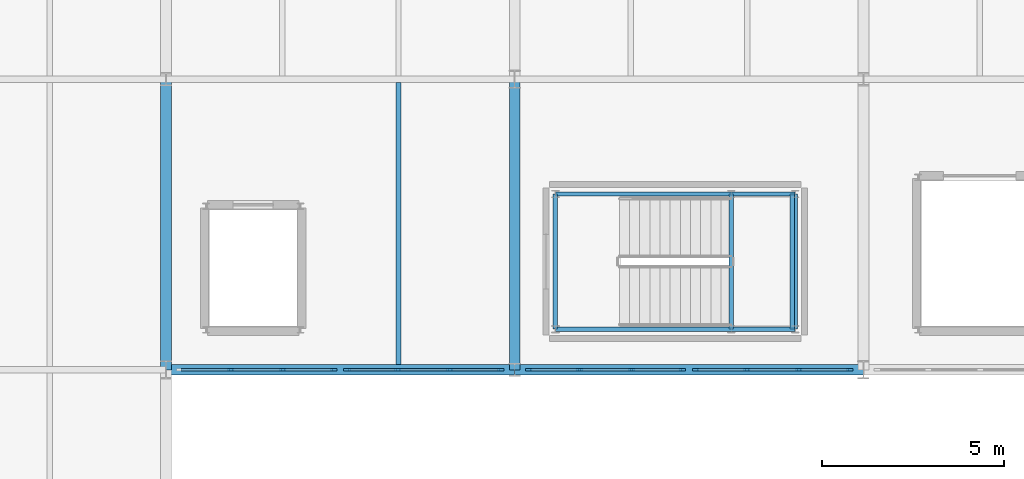
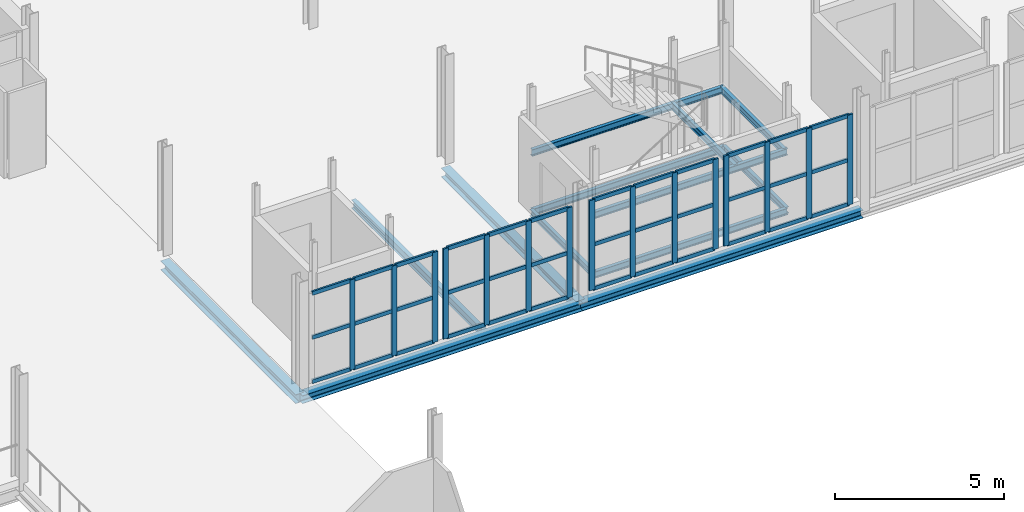
# One storey, part 41 of 78: 51 members, 13 beams, 4 elements without a shape of their own.
"""IFC4 building model written with IfcOpenShell, lengths in metres."""

from ifc_helpers import new_model, si_unit, direction, frame, origin, origin_2d, place, context, subcontext, project, spatial, rectangle, i_section, extrude, material, layer, layer_set, material_profile, profile_set, type_object, element, aggregate, save


model = new_model("IFC4")

# Units and contexts
model_context = context("Model", 3, precision=1e-05, world=origin(), true_north=direction((0.0, 1.0)))
body_context = subcontext(model_context, "Body", "Model", "MODEL_VIEW")
ifc_project = project(units=[si_unit("LENGTHUNIT", "METRE"), si_unit("AREAUNIT", "SQUARE_METRE"), si_unit("VOLUMEUNIT", "CUBIC_METRE"), si_unit("PLANEANGLEUNIT", "RADIAN"), si_unit("MASSUNIT", "GRAM", prefix="KILO")], contexts=[model_context])

# Site, building, storey
site_placement = place(None, origin())
site = spatial("IfcSite", under=ifc_project, at=site_placement, CompositionType="ELEMENT")
building_placement = place(site_placement, origin())
building = spatial("IfcBuilding", under=site, at=building_placement, Name="Alderhovde Museum", CompositionType="ELEMENT")
storey_placement = place(building_placement, frame((0.0, 0.0, 4.5)))
storey = spatial("IfcBuildingStorey", under=building, at=storey_placement, Name="L01", CompositionType="ELEMENT", Elevation=4.5)

# Beams
ifc_material_1 = material(Name="Steel S355J2", Category="steel")
ifc_material_profile_1 = material_profile(ifc_material_1, i_section(OverallWidth=0.300048828125, OverallDepth=0.330078125, WebThickness=0.009521484375, FlangeThickness=0.0166015625, FilletRadius=0.027099609375, at=origin_2d()), Name="HEA 340")
ifc_profile_set_1 = profile_set([ifc_material_profile_1], Name="Steel S355J2")
beam_type_1 = type_object("IfcBeamType", Name="BM-HEA340", PredefinedType="BEAM", material=ifc_profile_set_1)
for number, where, z_axis, x_axis, name in (
    (1, (115.199951171875, 72.0, -0.425048828125), (0.0, 1.0, 0.0), (-1.0, 0.0, 0.0), "L01 Grid Beam X=115.2 (72.0 TO 80.0)"),
    (2, (124.800048828125, 72.0, -0.425048828125), (0.0, 1.0, 0.0), (-1.0, 0.0, 0.0), "L01 Grid Beam X=124.8 (72.0 TO 80.0)"),
):
    element("IfcBeam", number, at=place(storey_placement, frame(where, z_axis=z_axis, x_axis=x_axis)), inside=storey, type_object=beam_type_1, Name=name, PredefinedType="BEAM", context=body_context, shape_type="SweptSolid", body=[
        extrude(i_section(OverallWidth=0.300048828125, OverallDepth=0.330078125, WebThickness=0.009521484375, FlangeThickness=0.0166015625, FilletRadius=0.027099609375, at=origin_2d()), origin(), (0.0, 0.0, 1.0), 8.0),
    ])
ifc_material_2 = material(Name="Steel S355J2", Category="steel")
ifc_material_profile_2 = material_profile(ifc_material_2, i_section(OverallWidth=0.1201171875, OverallDepth=0.239990234375, WebThickness=0.006103515625, FlangeThickness=0.009765625, FilletRadius=0.014892578125, at=origin_2d()), Name="IPE 240")
ifc_profile_set_2 = profile_set([ifc_material_profile_2], Name="Steel S355J2")
beam_type_2 = type_object("IfcBeamType", Name="BM-IPE240", PredefinedType="BEAM", material=ifc_profile_set_2)
for number, where, z_axis, x_axis, name in (
    (3, (125.919921875, 73.1201171875, -0.3798828125), (1.0, 0.0, 0.0), (0.0, 1.0, 0.0), "L01 Stair ST4 Floor Trimmer S"),
    (4, (125.919921875, 76.840087890625, -0.3798828125), (1.0, 0.0, 0.0), (0.0, 1.0, 0.0), "L01 Stair ST4 Floor Trimmer N"),
):
    element("IfcBeam", number, at=place(storey_placement, frame(where, z_axis=z_axis, x_axis=x_axis)), inside=storey, type_object=beam_type_2, Name=name, PredefinedType="BEAM", context=body_context, shape_type="SweptSolid", body=[
        extrude(i_section(OverallWidth=0.1201171875, OverallDepth=0.239990234375, WebThickness=0.006103515625, FlangeThickness=0.009765625, FilletRadius=0.014892578125, at=origin_2d()), origin(), (0.0, 0.0, 1.0), 6.60009765625),
    ])
for number, where, z_axis, x_axis, name in (
    (5, (125.919921875, 73.1201171875, -0.3798828125), (0.0, 1.0, 0.0), (-1.0, 0.0, 0.0), "L01 Stair ST4 Floor Trimmer W"),
    (6, (132.52001953125, 73.1201171875, -0.3798828125), (0.0, 1.0, 0.0), (-1.0, 0.0, 0.0), "L01 Stair ST4 Floor Trimmer E"),
):
    element("IfcBeam", number, at=place(storey_placement, frame(where, z_axis=z_axis, x_axis=x_axis)), inside=storey, type_object=beam_type_2, Name=name, PredefinedType="BEAM", context=body_context, shape_type="SweptSolid", body=[
        extrude(i_section(OverallWidth=0.1201171875, OverallDepth=0.239990234375, WebThickness=0.006103515625, FlangeThickness=0.009765625, FilletRadius=0.014892578125, at=origin_2d()), origin(), (0.0, 0.0, 1.0), 3.719970703125),
    ])
for number, where, z_axis, x_axis, name in (
    (7, (125.919921875, 73.1201171875, 1.780029296875), (1.0, 0.0, 0.0), (0.0, 1.0, 0.0), "L01 Stair ST4 Landing 1 Beam S"),
    (8, (125.919921875, 76.840087890625, 1.780029296875), (1.0, 0.0, 0.0), (0.0, 1.0, 0.0), "L01 Stair ST4 Landing 1 Beam N"),
):
    element("IfcBeam", number, at=place(storey_placement, frame(where, z_axis=z_axis, x_axis=x_axis)), inside=storey, type_object=beam_type_2, Name=name, PredefinedType="BEAM", context=body_context, shape_type="SweptSolid", body=[
        extrude(i_section(OverallWidth=0.1201171875, OverallDepth=0.239990234375, WebThickness=0.006103515625, FlangeThickness=0.009765625, FilletRadius=0.014892578125, at=origin_2d()), origin(), (0.0, 0.0, 1.0), 6.60009765625),
    ])
for number, where, z_axis, x_axis, name in (
    (9, (130.760009765625, 73.1201171875, 1.780029296875), (0.0, 1.0, 0.0), (-1.0, 0.0, 0.0), "L01 Stair ST4 Landing 1 Beam W"),
    (10, (132.43994140625, 73.1201171875, 1.780029296875), (0.0, 1.0, 0.0), (-1.0, 0.0, 0.0), "L01 Stair ST4 Landing 1 Beam E"),
):
    element("IfcBeam", number, at=place(storey_placement, frame(where, z_axis=z_axis, x_axis=x_axis)), inside=storey, type_object=beam_type_2, Name=name, PredefinedType="BEAM", context=body_context, shape_type="SweptSolid", body=[
        extrude(i_section(OverallWidth=0.1201171875, OverallDepth=0.239990234375, WebThickness=0.006103515625, FlangeThickness=0.009765625, FilletRadius=0.014892578125, at=origin_2d()), origin(), (0.0, 0.0, 1.0), 3.719970703125),
    ])

# Curtain wall, members
ifc_material_3 = material(Name="Triple-Glazed Bronze-Anodised Curtain Wall", Category="glass")
ifc_layer = layer(ifc_material_3, 0.179931640625)
ifc_layer_set = layer_set([ifc_layer], Name="Triple-Glazed Bronze-Anodised Curtain Wall")
curtain_wall_type = type_object("IfcCurtainWallType", Name="CW-STIC-430x326", PredefinedType="USERDEFINED", material=ifc_layer_set)
curtain_wall_1_placement = place(storey_placement, origin())
curtain_wall_1 = element("IfcCurtainWall", 11, at=curtain_wall_1_placement, inside=storey, type_object=curtain_wall_type, Name="L01 Stick Curtain Wall 143", ObjectType="STICK CURTAIN WALL", PredefinedType="USERDEFINED")
ifc_material_4 = material(Name="Bronze-Anodised Aluminium EN AW-6063-T6", Category="aluminium")
ifc_material_profile_3 = material_profile(ifc_material_4, rectangle(XDim=0.06494140625, YDim=0.179931640625, at=origin_2d()), Name="MULLION 65x180")
ifc_profile_set_3 = profile_set([ifc_material_profile_3], Name="Bronze-Anodised Aluminium EN AW-6063-T6")
member_type_1 = type_object("IfcMemberType", Name="CWM-65x180", PredefinedType="MULLION", material=ifc_profile_set_3)
member_1_placement = place(storey_placement, frame((116.9833984375, 72.0, 0.0), z_axis=(0.0, 0.0, 1.0), x_axis=(0.0, 1.0, 0.0)))
member_1 = element("IfcMember", 12, at=member_1_placement, type_object=member_type_1, Name="CW34 mullion 2", PredefinedType="MULLION", context=body_context, shape_type="SweptSolid", body=[
    extrude(rectangle(XDim=0.06494140625, YDim=0.179931640625, at=origin_2d()), origin(), (0.0, 0.0, 1.0), 3.260009765625),
])
member_2_placement = place(storey_placement, frame((118.416748046875, 72.0, 0.0), z_axis=(0.0, 0.0, 1.0), x_axis=(0.0, 1.0, 0.0)))
member_2 = element("IfcMember", 13, at=member_2_placement, type_object=member_type_1, Name="CW34 mullion 3", PredefinedType="MULLION", context=body_context, shape_type="SweptSolid", body=[
    extrude(rectangle(XDim=0.06494140625, YDim=0.179931640625, at=origin_2d()), origin(), (0.0, 0.0, 1.0), 3.260009765625),
])
member_3_placement = place(storey_placement, frame((119.8173828125, 72.0, 0.0), z_axis=(0.0, 0.0, 1.0), x_axis=(0.0, 1.0, 0.0)))
member_3 = element("IfcMember", 14, at=member_3_placement, type_object=member_type_1, Name="CW34 mullion 4", PredefinedType="MULLION", context=body_context, shape_type="SweptSolid", body=[
    extrude(rectangle(XDim=0.06494140625, YDim=0.179931640625, at=origin_2d()), origin(), (0.0, 0.0, 1.0), 3.260009765625),
])

curtain_wall_2_placement = place(storey_placement, origin())
curtain_wall_2 = element("IfcCurtainWall", 15, at=curtain_wall_2_placement, inside=storey, type_object=curtain_wall_type, Name="L01 Stick Curtain Wall 144", ObjectType="STICK CURTAIN WALL", PredefinedType="USERDEFINED")
member_4_placement = place(storey_placement, frame((120.1826171875, 72.0, 0.0), z_axis=(0.0, 0.0, 1.0), x_axis=(0.0, 1.0, 0.0)))
member_4 = element("IfcMember", 16, at=member_4_placement, type_object=member_type_1, Name="CW34 mullion 1", PredefinedType="MULLION", context=body_context, shape_type="SweptSolid", body=[
    extrude(rectangle(XDim=0.06494140625, YDim=0.179931640625, at=origin_2d()), origin(), (0.0, 0.0, 1.0), 3.260009765625),
])
member_5_placement = place(storey_placement, frame((121.583251953125, 72.0, 0.0), z_axis=(0.0, 0.0, 1.0), x_axis=(0.0, 1.0, 0.0)))
member_5 = element("IfcMember", 17, at=member_5_placement, type_object=member_type_1, Name="CW34 mullion 2", PredefinedType="MULLION", context=body_context, shape_type="SweptSolid", body=[
    extrude(rectangle(XDim=0.06494140625, YDim=0.179931640625, at=origin_2d()), origin(), (0.0, 0.0, 1.0), 3.260009765625),
])
member_6_placement = place(storey_placement, frame((123.0166015625, 72.0, 0.0), z_axis=(0.0, 0.0, 1.0), x_axis=(0.0, 1.0, 0.0)))
member_6 = element("IfcMember", 18, at=member_6_placement, type_object=member_type_1, Name="CW34 mullion 3", PredefinedType="MULLION", context=body_context, shape_type="SweptSolid", body=[
    extrude(rectangle(XDim=0.06494140625, YDim=0.179931640625, at=origin_2d()), origin(), (0.0, 0.0, 1.0), 3.260009765625),
])
member_7_placement = place(storey_placement, frame((124.41748046875, 72.0, 0.0), z_axis=(0.0, 0.0, 1.0), x_axis=(0.0, 1.0, 0.0)))
member_7 = element("IfcMember", 19, at=member_7_placement, type_object=member_type_1, Name="CW34 mullion 4", PredefinedType="MULLION", context=body_context, shape_type="SweptSolid", body=[
    extrude(rectangle(XDim=0.06494140625, YDim=0.179931640625, at=origin_2d()), origin(), (0.0, 0.0, 1.0), 3.260009765625),
])

curtain_wall_3_placement = place(storey_placement, origin())
curtain_wall_3 = element("IfcCurtainWall", 20, at=curtain_wall_3_placement, inside=storey, type_object=curtain_wall_type, Name="L01 Stick Curtain Wall 146", ObjectType="STICK CURTAIN WALL", PredefinedType="USERDEFINED")
member_8_placement = place(storey_placement, frame((125.1826171875, 72.0, 0.0), z_axis=(0.0, 0.0, 1.0), x_axis=(0.0, 1.0, 0.0)))
member_8 = element("IfcMember", 21, at=member_8_placement, type_object=member_type_1, Name="CW34 mullion 1", PredefinedType="MULLION", context=body_context, shape_type="SweptSolid", body=[
    extrude(rectangle(XDim=0.06494140625, YDim=0.179931640625, at=origin_2d()), origin(), (0.0, 0.0, 1.0), 3.260009765625),
])
member_9_placement = place(storey_placement, frame((126.583251953125, 72.0, 0.0), z_axis=(0.0, 0.0, 1.0), x_axis=(0.0, 1.0, 0.0)))
member_9 = element("IfcMember", 22, at=member_9_placement, type_object=member_type_1, Name="CW34 mullion 2", PredefinedType="MULLION", context=body_context, shape_type="SweptSolid", body=[
    extrude(rectangle(XDim=0.06494140625, YDim=0.179931640625, at=origin_2d()), origin(), (0.0, 0.0, 1.0), 3.260009765625),
])
member_10_placement = place(storey_placement, frame((128.0166015625, 72.0, 0.0), z_axis=(0.0, 0.0, 1.0), x_axis=(0.0, 1.0, 0.0)))
member_10 = element("IfcMember", 23, at=member_10_placement, type_object=member_type_1, Name="CW34 mullion 3", PredefinedType="MULLION", context=body_context, shape_type="SweptSolid", body=[
    extrude(rectangle(XDim=0.06494140625, YDim=0.179931640625, at=origin_2d()), origin(), (0.0, 0.0, 1.0), 3.260009765625),
])
member_11_placement = place(storey_placement, frame((129.41748046875, 72.0, 0.0), z_axis=(0.0, 0.0, 1.0), x_axis=(0.0, 1.0, 0.0)))
member_11 = element("IfcMember", 24, at=member_11_placement, type_object=member_type_1, Name="CW34 mullion 4", PredefinedType="MULLION", context=body_context, shape_type="SweptSolid", body=[
    extrude(rectangle(XDim=0.06494140625, YDim=0.179931640625, at=origin_2d()), origin(), (0.0, 0.0, 1.0), 3.260009765625),
])

curtain_wall_4_placement = place(storey_placement, origin())
curtain_wall_4 = element("IfcCurtainWall", 25, at=curtain_wall_4_placement, inside=storey, type_object=curtain_wall_type, Name="L01 Stick Curtain Wall 147", ObjectType="STICK CURTAIN WALL", PredefinedType="USERDEFINED")
member_12_placement = place(storey_placement, frame((129.782470703125, 72.0, 0.0), z_axis=(0.0, 0.0, 1.0), x_axis=(0.0, 1.0, 0.0)))
member_12 = element("IfcMember", 26, at=member_12_placement, type_object=member_type_1, Name="CW34 mullion 1", PredefinedType="MULLION", context=body_context, shape_type="SweptSolid", body=[
    extrude(rectangle(XDim=0.06494140625, YDim=0.179931640625, at=origin_2d()), origin(), (0.0, 0.0, 1.0), 3.260009765625),
])
member_13_placement = place(storey_placement, frame((131.183349609375, 72.0, 0.0), z_axis=(0.0, 0.0, 1.0), x_axis=(0.0, 1.0, 0.0)))
member_13 = element("IfcMember", 27, at=member_13_placement, type_object=member_type_1, Name="CW34 mullion 2", PredefinedType="MULLION", context=body_context, shape_type="SweptSolid", body=[
    extrude(rectangle(XDim=0.06494140625, YDim=0.179931640625, at=origin_2d()), origin(), (0.0, 0.0, 1.0), 3.260009765625),
])
member_14_placement = place(storey_placement, frame((132.61669921875, 72.0, 0.0), z_axis=(0.0, 0.0, 1.0), x_axis=(0.0, 1.0, 0.0)))
member_14 = element("IfcMember", 28, at=member_14_placement, type_object=member_type_1, Name="CW34 mullion 3", PredefinedType="MULLION", context=body_context, shape_type="SweptSolid", body=[
    extrude(rectangle(XDim=0.06494140625, YDim=0.179931640625, at=origin_2d()), origin(), (0.0, 0.0, 1.0), 3.260009765625),
])
member_15_placement = place(storey_placement, frame((134.017578125, 72.0, 0.0), z_axis=(0.0, 0.0, 1.0), x_axis=(0.0, 1.0, 0.0)))
member_15 = element("IfcMember", 29, at=member_15_placement, type_object=member_type_1, Name="CW34 mullion 4", PredefinedType="MULLION", context=body_context, shape_type="SweptSolid", body=[
    extrude(rectangle(XDim=0.06494140625, YDim=0.179931640625, at=origin_2d()), origin(), (0.0, 0.0, 1.0), 3.260009765625),
])

# Member
ifc_material_5 = material(Name="Bronze-Anodised Aluminium EN AW-6063-T6", Category="aluminium")
ifc_material_profile_4 = material_profile(ifc_material_5, rectangle(XDim=0.06494140625, YDim=0.139892578125, at=origin_2d()), Name="TRANSOM 65x140")
ifc_profile_set_4 = profile_set([ifc_material_profile_4], Name="Bronze-Anodised Aluminium EN AW-6063-T6")
member_type_2 = type_object("IfcMemberType", Name="CWT-65x140", PredefinedType="USERDEFINED", material=ifc_profile_set_4)
member_16_placement = place(storey_placement, frame((115.614990234375, 72.0, 0.032470703125), z_axis=(1.0, 0.0, 0.0), x_axis=(0.0, 1.0, 0.0)))
member_16 = element("IfcMember", 30, at=member_16_placement, type_object=member_type_2, Name="CW34 transom 1.1", ObjectType="TRANSOM", PredefinedType="USERDEFINED", context=body_context, shape_type="SweptSolid", body=[
    extrude(rectangle(XDim=0.06494140625, YDim=0.139892578125, at=origin_2d()), origin(), (0.0, 0.0, 1.0), 1.3359375),
])

member_17_placement = place(storey_placement, frame((115.614990234375, 72.0, 1.6298828125), z_axis=(1.0, 0.0, 0.0), x_axis=(0.0, 1.0, 0.0)))
member_17 = element("IfcMember", 31, at=member_17_placement, type_object=member_type_2, Name="CW34 transom 1.2", ObjectType="TRANSOM", PredefinedType="USERDEFINED", context=body_context, shape_type="SweptSolid", body=[
    extrude(rectangle(XDim=0.06494140625, YDim=0.139892578125, at=origin_2d()), origin(), (0.0, 0.0, 1.0), 1.3359375),
])

member_18_placement = place(storey_placement, frame((115.614990234375, 72.0, 3.2275390625), z_axis=(1.0, 0.0, 0.0), x_axis=(0.0, 1.0, 0.0)))
member_18 = element("IfcMember", 32, at=member_18_placement, type_object=member_type_2, Name="CW34 transom 1.3", ObjectType="TRANSOM", PredefinedType="USERDEFINED", context=body_context, shape_type="SweptSolid", body=[
    extrude(rectangle(XDim=0.06494140625, YDim=0.139892578125, at=origin_2d()), origin(), (0.0, 0.0, 1.0), 1.3359375),
])

member_19_placement = place(storey_placement, frame((117.015869140625, 72.0, 0.032470703125), z_axis=(1.0, 0.0, 0.0), x_axis=(0.0, 1.0, 0.0)))
member_19 = element("IfcMember", 33, at=member_19_placement, type_object=member_type_2, Name="CW34 transom 2.1", ObjectType="TRANSOM", PredefinedType="USERDEFINED", context=body_context, shape_type="SweptSolid", body=[
    extrude(rectangle(XDim=0.06494140625, YDim=0.139892578125, at=origin_2d()), origin(), (0.0, 0.0, 1.0), 1.368408203125),
])

member_20_placement = place(storey_placement, frame((117.015869140625, 72.0, 1.6298828125), z_axis=(1.0, 0.0, 0.0), x_axis=(0.0, 1.0, 0.0)))
member_20 = element("IfcMember", 34, at=member_20_placement, type_object=member_type_2, Name="CW34 transom 2.2", ObjectType="TRANSOM", PredefinedType="USERDEFINED", context=body_context, shape_type="SweptSolid", body=[
    extrude(rectangle(XDim=0.06494140625, YDim=0.139892578125, at=origin_2d()), origin(), (0.0, 0.0, 1.0), 1.368408203125),
])

member_21_placement = place(storey_placement, frame((117.015869140625, 72.0, 3.2275390625), z_axis=(1.0, 0.0, 0.0), x_axis=(0.0, 1.0, 0.0)))
member_21 = element("IfcMember", 35, at=member_21_placement, type_object=member_type_2, Name="CW34 transom 2.3", ObjectType="TRANSOM", PredefinedType="USERDEFINED", context=body_context, shape_type="SweptSolid", body=[
    extrude(rectangle(XDim=0.06494140625, YDim=0.139892578125, at=origin_2d()), origin(), (0.0, 0.0, 1.0), 1.368408203125),
])

member_22_placement = place(storey_placement, frame((118.44921875, 72.0, 0.032470703125), z_axis=(1.0, 0.0, 0.0), x_axis=(0.0, 1.0, 0.0)))
member_22 = element("IfcMember", 36, at=member_22_placement, type_object=member_type_2, Name="CW34 transom 3.1", ObjectType="TRANSOM", PredefinedType="USERDEFINED", context=body_context, shape_type="SweptSolid", body=[
    extrude(rectangle(XDim=0.06494140625, YDim=0.139892578125, at=origin_2d()), origin(), (0.0, 0.0, 1.0), 1.335693359375),
])

member_23_placement = place(storey_placement, frame((118.44921875, 72.0, 1.6298828125), z_axis=(1.0, 0.0, 0.0), x_axis=(0.0, 1.0, 0.0)))
member_23 = element("IfcMember", 37, at=member_23_placement, type_object=member_type_2, Name="CW34 transom 3.2", ObjectType="TRANSOM", PredefinedType="USERDEFINED", context=body_context, shape_type="SweptSolid", body=[
    extrude(rectangle(XDim=0.06494140625, YDim=0.139892578125, at=origin_2d()), origin(), (0.0, 0.0, 1.0), 1.335693359375),
])

member_24_placement = place(storey_placement, frame((118.44921875, 72.0, 3.2275390625), z_axis=(1.0, 0.0, 0.0), x_axis=(0.0, 1.0, 0.0)))
member_24 = element("IfcMember", 38, at=member_24_placement, type_object=member_type_2, Name="CW34 transom 3.3", ObjectType="TRANSOM", PredefinedType="USERDEFINED", context=body_context, shape_type="SweptSolid", body=[
    extrude(rectangle(XDim=0.06494140625, YDim=0.139892578125, at=origin_2d()), origin(), (0.0, 0.0, 1.0), 1.335693359375),
])

aggregate(curtain_wall_1, [member_1, member_2, member_3, member_16, member_17, member_18, member_19, member_20, member_21, member_22, member_23, member_24])

member_25_placement = place(storey_placement, frame((120.215087890625, 72.0, 0.032470703125), z_axis=(1.0, 0.0, 0.0), x_axis=(0.0, 1.0, 0.0)))
member_25 = element("IfcMember", 39, at=member_25_placement, type_object=member_type_2, Name="CW34 transom 1.1", ObjectType="TRANSOM", PredefinedType="USERDEFINED", context=body_context, shape_type="SweptSolid", body=[
    extrude(rectangle(XDim=0.06494140625, YDim=0.139892578125, at=origin_2d()), origin(), (0.0, 0.0, 1.0), 1.335693359375),
])

member_26_placement = place(storey_placement, frame((120.215087890625, 72.0, 1.6298828125), z_axis=(1.0, 0.0, 0.0), x_axis=(0.0, 1.0, 0.0)))
member_26 = element("IfcMember", 40, at=member_26_placement, type_object=member_type_2, Name="CW34 transom 1.2", ObjectType="TRANSOM", PredefinedType="USERDEFINED", context=body_context, shape_type="SweptSolid", body=[
    extrude(rectangle(XDim=0.06494140625, YDim=0.139892578125, at=origin_2d()), origin(), (0.0, 0.0, 1.0), 1.335693359375),
])

member_27_placement = place(storey_placement, frame((120.215087890625, 72.0, 3.2275390625), z_axis=(1.0, 0.0, 0.0), x_axis=(0.0, 1.0, 0.0)))
member_27 = element("IfcMember", 41, at=member_27_placement, type_object=member_type_2, Name="CW34 transom 1.3", ObjectType="TRANSOM", PredefinedType="USERDEFINED", context=body_context, shape_type="SweptSolid", body=[
    extrude(rectangle(XDim=0.06494140625, YDim=0.139892578125, at=origin_2d()), origin(), (0.0, 0.0, 1.0), 1.335693359375),
])

member_28_placement = place(storey_placement, frame((121.61572265625, 72.0, 0.032470703125), z_axis=(1.0, 0.0, 0.0), x_axis=(0.0, 1.0, 0.0)))
member_28 = element("IfcMember", 42, at=member_28_placement, type_object=member_type_2, Name="CW34 transom 2.1", ObjectType="TRANSOM", PredefinedType="USERDEFINED", context=body_context, shape_type="SweptSolid", body=[
    extrude(rectangle(XDim=0.06494140625, YDim=0.139892578125, at=origin_2d()), origin(), (0.0, 0.0, 1.0), 1.368408203125),
])

member_29_placement = place(storey_placement, frame((121.61572265625, 72.0, 1.6298828125), z_axis=(1.0, 0.0, 0.0), x_axis=(0.0, 1.0, 0.0)))
member_29 = element("IfcMember", 43, at=member_29_placement, type_object=member_type_2, Name="CW34 transom 2.2", ObjectType="TRANSOM", PredefinedType="USERDEFINED", context=body_context, shape_type="SweptSolid", body=[
    extrude(rectangle(XDim=0.06494140625, YDim=0.139892578125, at=origin_2d()), origin(), (0.0, 0.0, 1.0), 1.368408203125),
])

member_30_placement = place(storey_placement, frame((121.61572265625, 72.0, 3.2275390625), z_axis=(1.0, 0.0, 0.0), x_axis=(0.0, 1.0, 0.0)))
member_30 = element("IfcMember", 44, at=member_30_placement, type_object=member_type_2, Name="CW34 transom 2.3", ObjectType="TRANSOM", PredefinedType="USERDEFINED", context=body_context, shape_type="SweptSolid", body=[
    extrude(rectangle(XDim=0.06494140625, YDim=0.139892578125, at=origin_2d()), origin(), (0.0, 0.0, 1.0), 1.368408203125),
])

member_31_placement = place(storey_placement, frame((123.049072265625, 72.0, 0.032470703125), z_axis=(1.0, 0.0, 0.0), x_axis=(0.0, 1.0, 0.0)))
member_31 = element("IfcMember", 45, at=member_31_placement, type_object=member_type_2, Name="CW34 transom 3.1", ObjectType="TRANSOM", PredefinedType="USERDEFINED", context=body_context, shape_type="SweptSolid", body=[
    extrude(rectangle(XDim=0.06494140625, YDim=0.139892578125, at=origin_2d()), origin(), (0.0, 0.0, 1.0), 1.3359375),
])

member_32_placement = place(storey_placement, frame((123.049072265625, 72.0, 1.6298828125), z_axis=(1.0, 0.0, 0.0), x_axis=(0.0, 1.0, 0.0)))
member_32 = element("IfcMember", 46, at=member_32_placement, type_object=member_type_2, Name="CW34 transom 3.2", ObjectType="TRANSOM", PredefinedType="USERDEFINED", context=body_context, shape_type="SweptSolid", body=[
    extrude(rectangle(XDim=0.06494140625, YDim=0.139892578125, at=origin_2d()), origin(), (0.0, 0.0, 1.0), 1.3359375),
])

member_33_placement = place(storey_placement, frame((123.049072265625, 72.0, 3.2275390625), z_axis=(1.0, 0.0, 0.0), x_axis=(0.0, 1.0, 0.0)))
member_33 = element("IfcMember", 47, at=member_33_placement, type_object=member_type_2, Name="CW34 transom 3.3", ObjectType="TRANSOM", PredefinedType="USERDEFINED", context=body_context, shape_type="SweptSolid", body=[
    extrude(rectangle(XDim=0.06494140625, YDim=0.139892578125, at=origin_2d()), origin(), (0.0, 0.0, 1.0), 1.3359375),
])

aggregate(curtain_wall_2, [member_4, member_5, member_6, member_7, member_25, member_26, member_27, member_28, member_29, member_30, member_31, member_32, member_33])

member_34_placement = place(storey_placement, frame((125.215087890625, 72.0, 0.032470703125), z_axis=(1.0, 0.0, 0.0), x_axis=(0.0, 1.0, 0.0)))
member_34 = element("IfcMember", 48, at=member_34_placement, type_object=member_type_2, Name="CW34 transom 1.1", ObjectType="TRANSOM", PredefinedType="USERDEFINED", context=body_context, shape_type="SweptSolid", body=[
    extrude(rectangle(XDim=0.06494140625, YDim=0.139892578125, at=origin_2d()), origin(), (0.0, 0.0, 1.0), 1.335693359375),
])

member_35_placement = place(storey_placement, frame((125.215087890625, 72.0, 1.6298828125), z_axis=(1.0, 0.0, 0.0), x_axis=(0.0, 1.0, 0.0)))
member_35 = element("IfcMember", 49, at=member_35_placement, type_object=member_type_2, Name="CW34 transom 1.2", ObjectType="TRANSOM", PredefinedType="USERDEFINED", context=body_context, shape_type="SweptSolid", body=[
    extrude(rectangle(XDim=0.06494140625, YDim=0.139892578125, at=origin_2d()), origin(), (0.0, 0.0, 1.0), 1.335693359375),
])

member_36_placement = place(storey_placement, frame((125.215087890625, 72.0, 3.2275390625), z_axis=(1.0, 0.0, 0.0), x_axis=(0.0, 1.0, 0.0)))
member_36 = element("IfcMember", 50, at=member_36_placement, type_object=member_type_2, Name="CW34 transom 1.3", ObjectType="TRANSOM", PredefinedType="USERDEFINED", context=body_context, shape_type="SweptSolid", body=[
    extrude(rectangle(XDim=0.06494140625, YDim=0.139892578125, at=origin_2d()), origin(), (0.0, 0.0, 1.0), 1.335693359375),
])

member_37_placement = place(storey_placement, frame((126.61572265625, 72.0, 0.032470703125), z_axis=(1.0, 0.0, 0.0), x_axis=(0.0, 1.0, 0.0)))
member_37 = element("IfcMember", 51, at=member_37_placement, type_object=member_type_2, Name="CW34 transom 2.1", ObjectType="TRANSOM", PredefinedType="USERDEFINED", context=body_context, shape_type="SweptSolid", body=[
    extrude(rectangle(XDim=0.06494140625, YDim=0.139892578125, at=origin_2d()), origin(), (0.0, 0.0, 1.0), 1.368408203125),
])

member_38_placement = place(storey_placement, frame((126.61572265625, 72.0, 1.6298828125), z_axis=(1.0, 0.0, 0.0), x_axis=(0.0, 1.0, 0.0)))
member_38 = element("IfcMember", 52, at=member_38_placement, type_object=member_type_2, Name="CW34 transom 2.2", ObjectType="TRANSOM", PredefinedType="USERDEFINED", context=body_context, shape_type="SweptSolid", body=[
    extrude(rectangle(XDim=0.06494140625, YDim=0.139892578125, at=origin_2d()), origin(), (0.0, 0.0, 1.0), 1.368408203125),
])

member_39_placement = place(storey_placement, frame((126.61572265625, 72.0, 3.2275390625), z_axis=(1.0, 0.0, 0.0), x_axis=(0.0, 1.0, 0.0)))
member_39 = element("IfcMember", 53, at=member_39_placement, type_object=member_type_2, Name="CW34 transom 2.3", ObjectType="TRANSOM", PredefinedType="USERDEFINED", context=body_context, shape_type="SweptSolid", body=[
    extrude(rectangle(XDim=0.06494140625, YDim=0.139892578125, at=origin_2d()), origin(), (0.0, 0.0, 1.0), 1.368408203125),
])

member_40_placement = place(storey_placement, frame((128.049072265625, 72.0, 0.032470703125), z_axis=(1.0, 0.0, 0.0), x_axis=(0.0, 1.0, 0.0)))
member_40 = element("IfcMember", 54, at=member_40_placement, type_object=member_type_2, Name="CW34 transom 3.1", ObjectType="TRANSOM", PredefinedType="USERDEFINED", context=body_context, shape_type="SweptSolid", body=[
    extrude(rectangle(XDim=0.06494140625, YDim=0.139892578125, at=origin_2d()), origin(), (0.0, 0.0, 1.0), 1.3359375),
])

member_41_placement = place(storey_placement, frame((128.049072265625, 72.0, 1.6298828125), z_axis=(1.0, 0.0, 0.0), x_axis=(0.0, 1.0, 0.0)))
member_41 = element("IfcMember", 55, at=member_41_placement, type_object=member_type_2, Name="CW34 transom 3.2", ObjectType="TRANSOM", PredefinedType="USERDEFINED", context=body_context, shape_type="SweptSolid", body=[
    extrude(rectangle(XDim=0.06494140625, YDim=0.139892578125, at=origin_2d()), origin(), (0.0, 0.0, 1.0), 1.3359375),
])

member_42_placement = place(storey_placement, frame((128.049072265625, 72.0, 3.2275390625), z_axis=(1.0, 0.0, 0.0), x_axis=(0.0, 1.0, 0.0)))
member_42 = element("IfcMember", 56, at=member_42_placement, type_object=member_type_2, Name="CW34 transom 3.3", ObjectType="TRANSOM", PredefinedType="USERDEFINED", context=body_context, shape_type="SweptSolid", body=[
    extrude(rectangle(XDim=0.06494140625, YDim=0.139892578125, at=origin_2d()), origin(), (0.0, 0.0, 1.0), 1.3359375),
])

aggregate(curtain_wall_3, [member_8, member_9, member_10, member_11, member_34, member_35, member_36, member_37, member_38, member_39, member_40, member_41, member_42])

member_43_placement = place(storey_placement, frame((129.81494140625, 72.0, 0.032470703125), z_axis=(1.0, 0.0, 0.0), x_axis=(0.0, 1.0, 0.0)))
member_43 = element("IfcMember", 57, at=member_43_placement, type_object=member_type_2, Name="CW34 transom 1.1", ObjectType="TRANSOM", PredefinedType="USERDEFINED", context=body_context, shape_type="SweptSolid", body=[
    extrude(rectangle(XDim=0.06494140625, YDim=0.139892578125, at=origin_2d()), origin(), (0.0, 0.0, 1.0), 1.3359375),
])

member_44_placement = place(storey_placement, frame((129.81494140625, 72.0, 1.6298828125), z_axis=(1.0, 0.0, 0.0), x_axis=(0.0, 1.0, 0.0)))
member_44 = element("IfcMember", 58, at=member_44_placement, type_object=member_type_2, Name="CW34 transom 1.2", ObjectType="TRANSOM", PredefinedType="USERDEFINED", context=body_context, shape_type="SweptSolid", body=[
    extrude(rectangle(XDim=0.06494140625, YDim=0.139892578125, at=origin_2d()), origin(), (0.0, 0.0, 1.0), 1.3359375),
])

member_45_placement = place(storey_placement, frame((129.81494140625, 72.0, 3.2275390625), z_axis=(1.0, 0.0, 0.0), x_axis=(0.0, 1.0, 0.0)))
member_45 = element("IfcMember", 59, at=member_45_placement, type_object=member_type_2, Name="CW34 transom 1.3", ObjectType="TRANSOM", PredefinedType="USERDEFINED", context=body_context, shape_type="SweptSolid", body=[
    extrude(rectangle(XDim=0.06494140625, YDim=0.139892578125, at=origin_2d()), origin(), (0.0, 0.0, 1.0), 1.3359375),
])

member_46_placement = place(storey_placement, frame((131.2158203125, 72.0, 0.032470703125), z_axis=(1.0, 0.0, 0.0), x_axis=(0.0, 1.0, 0.0)))
member_46 = element("IfcMember", 60, at=member_46_placement, type_object=member_type_2, Name="CW34 transom 2.1", ObjectType="TRANSOM", PredefinedType="USERDEFINED", context=body_context, shape_type="SweptSolid", body=[
    extrude(rectangle(XDim=0.06494140625, YDim=0.139892578125, at=origin_2d()), origin(), (0.0, 0.0, 1.0), 1.368408203125),
])

member_47_placement = place(storey_placement, frame((131.2158203125, 72.0, 1.6298828125), z_axis=(1.0, 0.0, 0.0), x_axis=(0.0, 1.0, 0.0)))
member_47 = element("IfcMember", 61, at=member_47_placement, type_object=member_type_2, Name="CW34 transom 2.2", ObjectType="TRANSOM", PredefinedType="USERDEFINED", context=body_context, shape_type="SweptSolid", body=[
    extrude(rectangle(XDim=0.06494140625, YDim=0.139892578125, at=origin_2d()), origin(), (0.0, 0.0, 1.0), 1.368408203125),
])

member_48_placement = place(storey_placement, frame((131.2158203125, 72.0, 3.2275390625), z_axis=(1.0, 0.0, 0.0), x_axis=(0.0, 1.0, 0.0)))
member_48 = element("IfcMember", 62, at=member_48_placement, type_object=member_type_2, Name="CW34 transom 2.3", ObjectType="TRANSOM", PredefinedType="USERDEFINED", context=body_context, shape_type="SweptSolid", body=[
    extrude(rectangle(XDim=0.06494140625, YDim=0.139892578125, at=origin_2d()), origin(), (0.0, 0.0, 1.0), 1.368408203125),
])

member_49_placement = place(storey_placement, frame((132.649169921875, 72.0, 0.032470703125), z_axis=(1.0, 0.0, 0.0), x_axis=(0.0, 1.0, 0.0)))
member_49 = element("IfcMember", 63, at=member_49_placement, type_object=member_type_2, Name="CW34 transom 3.1", ObjectType="TRANSOM", PredefinedType="USERDEFINED", context=body_context, shape_type="SweptSolid", body=[
    extrude(rectangle(XDim=0.06494140625, YDim=0.139892578125, at=origin_2d()), origin(), (0.0, 0.0, 1.0), 1.3359375),
])

member_50_placement = place(storey_placement, frame((132.649169921875, 72.0, 1.6298828125), z_axis=(1.0, 0.0, 0.0), x_axis=(0.0, 1.0, 0.0)))
member_50 = element("IfcMember", 64, at=member_50_placement, type_object=member_type_2, Name="CW34 transom 3.2", ObjectType="TRANSOM", PredefinedType="USERDEFINED", context=body_context, shape_type="SweptSolid", body=[
    extrude(rectangle(XDim=0.06494140625, YDim=0.139892578125, at=origin_2d()), origin(), (0.0, 0.0, 1.0), 1.3359375),
])

member_51_placement = place(storey_placement, frame((132.649169921875, 72.0, 3.2275390625), z_axis=(1.0, 0.0, 0.0), x_axis=(0.0, 1.0, 0.0)))
member_51 = element("IfcMember", 65, at=member_51_placement, type_object=member_type_2, Name="CW34 transom 3.3", ObjectType="TRANSOM", PredefinedType="USERDEFINED", context=body_context, shape_type="SweptSolid", body=[
    extrude(rectangle(XDim=0.06494140625, YDim=0.139892578125, at=origin_2d()), origin(), (0.0, 0.0, 1.0), 1.3359375),
])

aggregate(curtain_wall_4, [member_12, member_13, member_14, member_15, member_43, member_44, member_45, member_46, member_47, member_48, member_49, member_50, member_51])

# Beams
ifc_material_6 = material(Name="Steel S355J2", Category="steel")
ifc_material_profile_5 = material_profile(ifc_material_6, i_section(OverallWidth=0.14990234375, OverallDepth=0.300048828125, WebThickness=0.007080078125, FlangeThickness=0.0107421875, FilletRadius=0.014892578125, at=origin_2d()), Name="IPE 300")
ifc_profile_set_5 = profile_set([ifc_material_profile_5], Name="Steel S355J2")
beam_type_3 = type_object("IfcBeamType", Name="JST-IPE300", PredefinedType="JOIST", material=ifc_profile_set_5)
beam_1_placement = place(storey_placement, frame((121.60009765625, 72.14990234375, -0.409912109375), z_axis=(0.0, 1.0, 0.0), x_axis=(-1.0, 0.0, 0.0)))
element("IfcBeam", 66, at=beam_1_placement, inside=storey, type_object=beam_type_3, Name="L01 Composite Joist X=121.6 (72.0 TO 80.0)", PredefinedType="JOIST", context=body_context, shape_type="SweptSolid", body=[
    extrude(i_section(OverallWidth=0.14990234375, OverallDepth=0.300048828125, WebThickness=0.007080078125, FlangeThickness=0.0107421875, FilletRadius=0.014892578125, at=origin_2d()), origin(), (0.0, 0.0, 1.0), 7.755126953125),
])
ifc_material_7 = material(Name="Steel S355J2", Category="steel")
ifc_material_profile_6 = material_profile(ifc_material_7, i_section(OverallWidth=0.300048828125, OverallDepth=0.2900390625, WebThickness=0.008544921875, FlangeThickness=0.013916015625, FilletRadius=0.027099609375, at=origin_2d()), Name="HEA 300")
ifc_profile_set_6 = profile_set([ifc_material_profile_6], Name="Steel S355J2")
beam_type_4 = type_object("IfcBeamType", Name="SPD-HEA300", PredefinedType="SPANDREL", material=ifc_profile_set_6)
beam_2_placement = place(storey_placement, frame((115.199951171875, 72.0, -0.405029296875), z_axis=(1.0, 0.0, 0.0), x_axis=(0.0, 1.0, 0.0)))
element("IfcBeam", 67, at=beam_2_placement, inside=storey, type_object=beam_type_4, Name="L01 Grid Beam Y=72.0 (115.2 TO 124.8)", PredefinedType="SPANDREL", context=body_context, shape_type="SweptSolid", body=[
    extrude(i_section(OverallWidth=0.300048828125, OverallDepth=0.2900390625, WebThickness=0.008544921875, FlangeThickness=0.013916015625, FilletRadius=0.027099609375, at=origin_2d()), origin(), (0.0, 0.0, 1.0), 9.60009765625),
])
beam_3_placement = place(storey_placement, frame((124.800048828125, 72.0, -0.405029296875), z_axis=(1.0, 0.0, 0.0), x_axis=(0.0, 1.0, 0.0)))
element("IfcBeam", 68, at=beam_3_placement, inside=storey, type_object=beam_type_4, Name="L01 Grid Beam Y=72.0 (124.8 TO 134.4)", PredefinedType="SPANDREL", context=body_context, shape_type="SweptSolid", body=[
    extrude(i_section(OverallWidth=0.300048828125, OverallDepth=0.2900390625, WebThickness=0.008544921875, FlangeThickness=0.013916015625, FilletRadius=0.027099609375, at=origin_2d()), origin(), (0.0, 0.0, 1.0), 9.599853515625),
])

save(model, "model.ifc")
